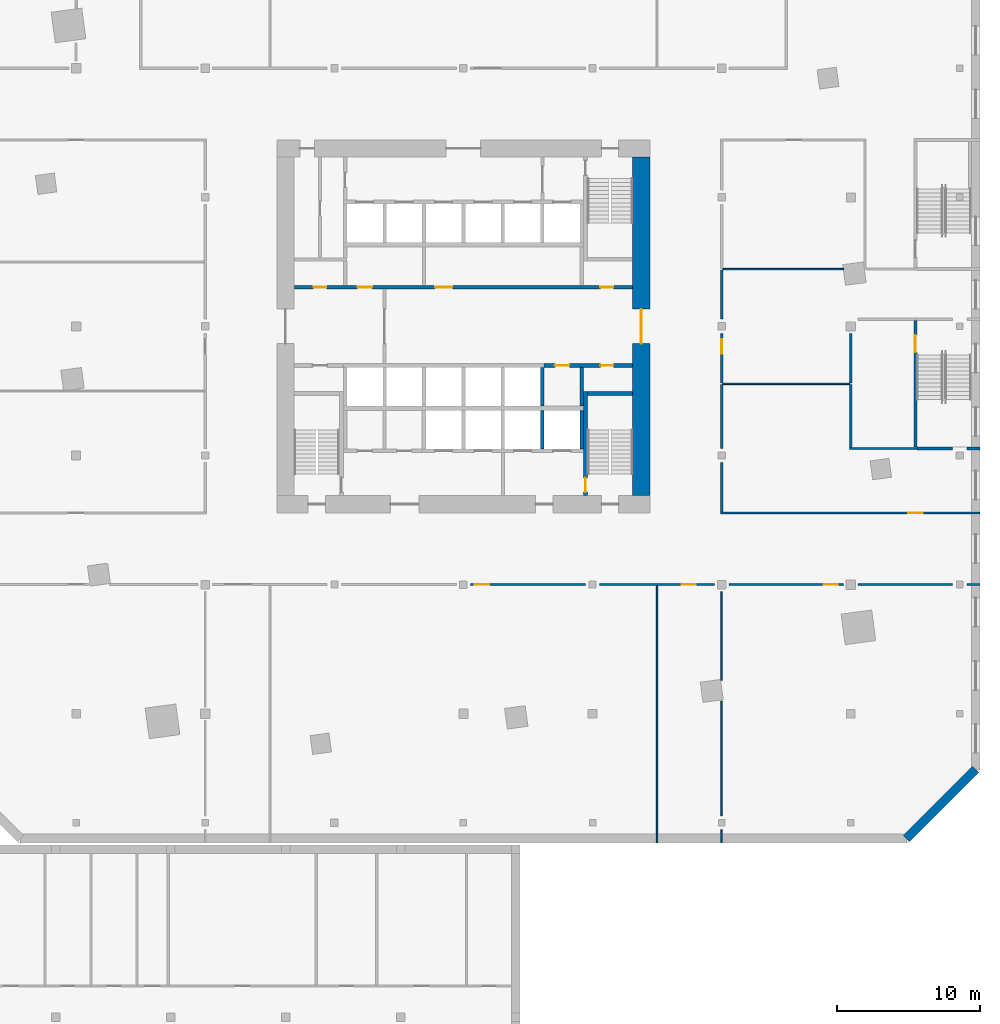
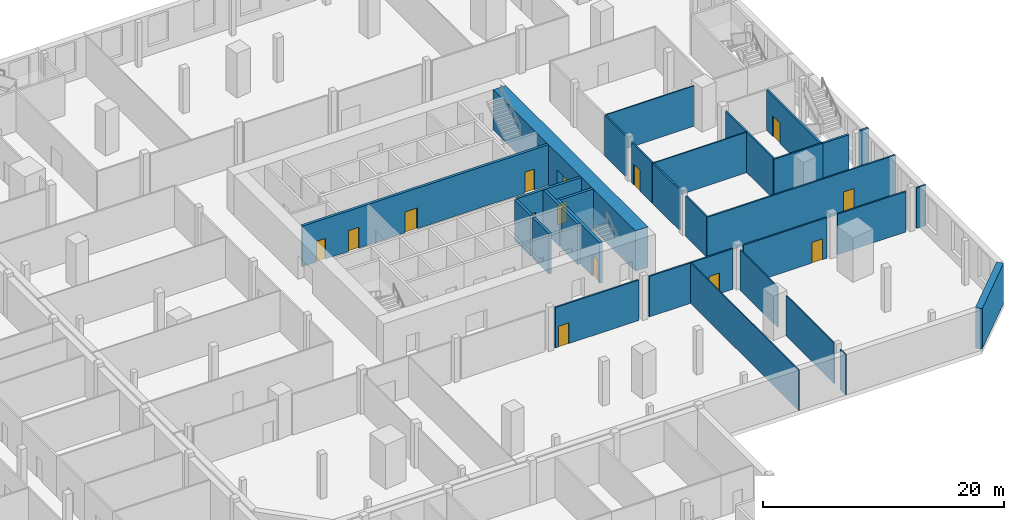
# One storey, part 8 of 18: 32 walls, 14 doors, 14 openings.
"""IFC4 building model written with IfcOpenShell, lengths in metres."""

from ifc_helpers import new_model, si_unit, direction, frame, frame_2d, origin, place, context, subcontext, project, spatial, rectangle, extrude, material, layer, layer_set, type_object, element, fill, save


model = new_model("IFC4")

# Units and contexts
model_context = context("Model", 3, precision=1e-05, world=origin(), true_north=direction((0.0, 1.0)))
body_context = subcontext(model_context, "Body", "Model", "MODEL_VIEW")
ifc_project = project(units=[si_unit("LENGTHUNIT", "METRE"), si_unit("AREAUNIT", "SQUARE_METRE"), si_unit("VOLUMEUNIT", "CUBIC_METRE"), si_unit("PLANEANGLEUNIT", "RADIAN"), si_unit("MASSUNIT", "GRAM", prefix="KILO")], contexts=[model_context])

# Site, building, storey
site_placement = place(None, origin())
site = spatial("IfcSite", under=ifc_project, at=site_placement, CompositionType="ELEMENT")
building_placement = place(site_placement, origin())
building = spatial("IfcBuilding", under=site, at=building_placement, Name="Dilmun Exchange Tower", CompositionType="ELEMENT")
storey_placement = place(building_placement, frame((0.0, 0.0, 13.5)))
storey = spatial("IfcBuildingStorey", under=building, at=storey_placement, Name="L03", CompositionType="ELEMENT", Elevation=13.5)

# Wall
ifc_material_1 = material(Name="Concrete C40/50", Category="concrete")
ifc_layer_1 = layer(ifc_material_1, 0.25)
ifc_layer_set_1 = layer_set([ifc_layer_1], Name="Concrete C40/50")
wall_type_1 = type_object("IfcWallType", Name="Core partition wall 250", PredefinedType="PARTITIONING", material=ifc_layer_set_1)
wall_1_placement = place(storey_placement, frame((8.25, -5.544921875, 0.0), z_axis=(0.0, 0.0, 1.0), x_axis=(0.0, 1.0, 0.0)))
element("IfcWall", 1, at=wall_1_placement, inside=storey, type_object=wall_type_1, Name="L03 core partition wall 05", PredefinedType="PARTITIONING", context=body_context, shape_type="SweptSolid", body=[
    extrude(rectangle(XDim=2.68994140625, YDim=0.25, at=frame_2d((1.344970703125, 0.0))), origin(), (0.0, 0.0, 1.0), 4.10009765625),
])

# Wall, openings, doors
wall_2_placement = place(storey_placement, frame((5.6298828125, -2.72509765625, 0.0), z_axis=(0.0, 0.0, 1.0), x_axis=(1.0, 0.0, 0.0)))
wall_2 = element("IfcWall", 2, at=wall_2_placement, inside=storey, type_object=wall_type_1, Name="L03 core partition wall 07", PredefinedType="PARTITIONING", context=body_context, shape_type="SweptSolid", body=[
    extrude(rectangle(XDim=6.1650390625, YDim=0.25, at=frame_2d((3.08251953125, 0.0))), origin(), (0.0, 0.0, 1.0), 4.10009765625),
])
opening_1_placement = place(wall_2_placement, frame((0.7451171875, 0.0, 0.0)))
opening_1 = element("IfcOpeningElement", 3, at=opening_1_placement, cuts=wall_2, Name="Opening CD4", PredefinedType="OPENING", context=body_context, shape_type="SweptSolid", body=[
    extrude(rectangle(XDim=1.0, YDim=2.10009765625, at=frame_2d((0.5, 1.050048828125))), frame((0.0, 0.135009765625, 0.0), z_axis=(0.0, -1.0, 0.0), x_axis=(1.0, 0.0, 0.0)), (0.0, 0.0, 1.0), 0.27001953125),
])
opening_2_placement = place(wall_2_placement, frame((3.919921875, 0.0, 0.0)))
opening_2 = element("IfcOpeningElement", 4, at=opening_2_placement, cuts=wall_2, Name="Opening CD6", PredefinedType="OPENING", context=body_context, shape_type="SweptSolid", body=[
    extrude(rectangle(XDim=0.89990234375, YDim=2.10009765625, at=frame_2d((0.449951171875, 1.050048828125))), frame((0.0, 0.135009765625, 0.0), z_axis=(0.0, -1.0, 0.0), x_axis=(1.0, 0.0, 0.0)), (0.0, 0.0, 1.0), 0.27001953125),
])
ifc_material_2 = material(Name="Fire-rated steel door set", Category="steel")
door_type_1 = type_object("IfcDoorType", Name="Core room door 1000x2100", OperationType="SINGLE_SWING_LEFT", PredefinedType="DOOR", material=ifc_material_2)
door_1_placement = place(opening_1_placement, origin())
door_1 = element("IfcDoor", 5, at=door_1_placement, inside=storey, type_object=door_type_1, Name="L03 door Cleaners' store", OperationType="SINGLE_SWING_RIGHT", OverallHeight=2.10009765625, OverallWidth=1.0, PredefinedType="DOOR", context=body_context, shape_type="SweptSolid", body=[
    extrude(rectangle(XDim=1.0, YDim=2.10009765625, at=frame_2d((0.5, 1.050048828125))), frame((0.0, 0.02490234375, 0.0), z_axis=(0.0, -1.0, 0.0), x_axis=(1.0, 0.0, 0.0)), (0.0, 0.0, 1.0), 0.050048828125),
])
fill(opening_1, door_1)
door_type_2 = type_object("IfcDoorType", Name="Core room door 900x2100", OperationType="SINGLE_SWING_LEFT", PredefinedType="DOOR", material=ifc_material_2)
door_2_placement = place(opening_2_placement, origin())
door_2 = element("IfcDoor", 6, at=door_2_placement, inside=storey, type_object=door_type_2, Name="L03 door Comms riser", OperationType="SINGLE_SWING_RIGHT", OverallHeight=2.10009765625, OverallWidth=0.89990234375, PredefinedType="DOOR", context=body_context, shape_type="SweptSolid", body=[
    extrude(rectangle(XDim=0.89990234375, YDim=2.10009765625, at=frame_2d((0.449951171875, 1.050048828125))), frame((0.0, 0.02490234375, 0.0), z_axis=(0.0, -1.0, 0.0), x_axis=(1.0, 0.0, 0.0)), (0.0, 0.0, 1.0), 0.050048828125),
])
fill(opening_2, door_2)

wall_3_placement = place(storey_placement, frame((-11.794921875, 2.72509765625, 0.0), z_axis=(0.0, 0.0, 1.0), x_axis=(1.0, 0.0, 0.0)))
wall_3 = element("IfcWall", 7, at=wall_3_placement, inside=storey, type_object=wall_type_1, Name="L03 core partition wall 09", PredefinedType="PARTITIONING", context=body_context, shape_type="SweptSolid", body=[
    extrude(rectangle(XDim=23.58984375, YDim=0.25, at=frame_2d((11.794921875, 0.0))), origin(), (0.0, 0.0, 1.0), 4.10009765625),
])
opening_3_placement = place(wall_3_placement, frame((21.344970703125, 0.0, 0.0)))
opening_3 = element("IfcOpeningElement", 8, at=opening_3_placement, cuts=wall_3, Name="Opening CD6", PredefinedType="OPENING", context=body_context, shape_type="SweptSolid", body=[
    extrude(rectangle(XDim=0.89990234375, YDim=2.10009765625, at=frame_2d((0.449951171875, 1.050048828125))), frame((0.0, 0.135009765625, 0.0), z_axis=(0.0, -1.0, 0.0), x_axis=(1.0, 0.0, 0.0)), (0.0, 0.0, 1.0), 0.27001953125),
])
opening_4_placement = place(wall_3_placement, frame((1.344970703125, 0.0, 0.0)))
opening_4 = element("IfcOpeningElement", 9, at=opening_4_placement, cuts=wall_3, Name="Opening CD6", PredefinedType="OPENING", context=body_context, shape_type="SweptSolid", body=[
    extrude(rectangle(XDim=0.89990234375, YDim=2.10009765625, at=frame_2d((0.449951171875, 1.050048828125))), frame((0.0, 0.135009765625, 0.0), z_axis=(0.0, -1.0, 0.0), x_axis=(1.0, 0.0, 0.0)), (0.0, 0.0, 1.0), 0.27001953125),
])
opening_5_placement = place(wall_3_placement, frame((4.419921875, 0.0, 0.0)))
opening_5 = element("IfcOpeningElement", 10, at=opening_5_placement, cuts=wall_3, Name="Opening CD4", PredefinedType="OPENING", context=body_context, shape_type="SweptSolid", body=[
    extrude(rectangle(XDim=1.0, YDim=2.10009765625, at=frame_2d((0.5, 1.050048828125))), frame((0.0, 0.135009765625, 0.0), z_axis=(0.0, -1.0, 0.0), x_axis=(1.0, 0.0, 0.0)), (0.0, 0.0, 1.0), 0.27001953125),
])
opening_6_placement = place(wall_3_placement, frame((9.820068359375, 0.0, 0.0)))
opening_6 = element("IfcOpeningElement", 11, at=opening_6_placement, cuts=wall_3, Name="Opening CD3", PredefinedType="OPENING", context=body_context, shape_type="SweptSolid", body=[
    extrude(rectangle(XDim=1.199951171875, YDim=2.10009765625, at=frame_2d((0.60009765625, 1.050048828125))), frame((0.0, 0.135009765625, 0.0), z_axis=(0.0, -1.0, 0.0), x_axis=(1.0, 0.0, 0.0)), (0.0, 0.0, 1.0), 0.27001953125),
])
door_3_placement = place(opening_5_placement, origin())
door_3 = element("IfcDoor", 12, at=door_3_placement, inside=storey, type_object=door_type_1, Name="L03 door Mechanical room", OperationType="SINGLE_SWING_RIGHT", OverallHeight=2.10009765625, OverallWidth=1.0, PredefinedType="DOOR", context=body_context, shape_type="SweptSolid", body=[
    extrude(rectangle(XDim=1.0, YDim=2.10009765625, at=frame_2d((0.5, 1.050048828125))), frame((0.0, 0.02490234375, 0.0), z_axis=(0.0, -1.0, 0.0), x_axis=(1.0, 0.0, 0.0)), (0.0, 0.0, 1.0), 0.050048828125),
])
fill(opening_5, door_3)
door_4_placement = place(opening_3_placement, origin())
door_4 = element("IfcDoor", 13, at=door_4_placement, inside=storey, type_object=door_type_2, Name="L03 door Electrical riser", OperationType="SINGLE_SWING_RIGHT", OverallHeight=2.10009765625, OverallWidth=0.89990234375, PredefinedType="DOOR", context=body_context, shape_type="SweptSolid", body=[
    extrude(rectangle(XDim=0.89990234375, YDim=2.10009765625, at=frame_2d((0.449951171875, 1.050048828125))), frame((0.0, 0.02490234375, 0.0), z_axis=(0.0, -1.0, 0.0), x_axis=(1.0, 0.0, 0.0)), (0.0, 0.0, 1.0), 0.050048828125),
])
fill(opening_3, door_4)
door_5_placement = place(opening_4_placement, origin())
door_5 = element("IfcDoor", 14, at=door_5_placement, inside=storey, type_object=door_type_2, Name="L03 door Plumbing riser", OperationType="SINGLE_SWING_RIGHT", OverallHeight=2.10009765625, OverallWidth=0.89990234375, PredefinedType="DOOR", context=body_context, shape_type="SweptSolid", body=[
    extrude(rectangle(XDim=0.89990234375, YDim=2.10009765625, at=frame_2d((0.449951171875, 1.050048828125))), frame((0.0, 0.02490234375, 0.0), z_axis=(0.0, -1.0, 0.0), x_axis=(1.0, 0.0, 0.0)), (0.0, 0.0, 1.0), 0.050048828125),
])
fill(opening_4, door_5)
door_type_3 = type_object("IfcDoorType", Name="Stair exit door 1200x2100", OperationType="SINGLE_SWING_LEFT", PredefinedType="DOOR", material=ifc_material_2)
door_6_placement = place(opening_6_placement, origin())
door_6 = element("IfcDoor", 15, at=door_6_placement, inside=storey, type_object=door_type_3, Name="L03 door Tenant meeting suite", OperationType="SINGLE_SWING_LEFT", OverallHeight=2.10009765625, OverallWidth=1.199951171875, PredefinedType="DOOR", context=body_context, shape_type="SweptSolid", body=[
    extrude(rectangle(XDim=1.199951171875, YDim=2.10009765625, at=frame_2d((0.60009765625, 1.050048828125))), frame((0.0, 0.02490234375, 0.0), z_axis=(0.0, -1.0, 0.0), x_axis=(1.0, 0.0, 0.0)), (0.0, 0.0, 1.0), 0.050048828125),
])
fill(opening_6, door_6)

# Wall, opening, door
ifc_material_3 = material(Name="Concrete C80/95", Category="concrete")
ifc_layer_2 = layer(ifc_material_3, 1.199951171875)
ifc_layer_set_2 = layer_set([ifc_layer_2], Name="Concrete C80/95")
wall_type_2 = type_object("IfcWallType", Name="Core shear wall 1200 Concrete C80/95", PredefinedType="SHEAR", material=ifc_layer_set_2)
wall_4_placement = place(storey_placement, frame((12.39990234375, -11.800048828125, 0.0), z_axis=(0.0, 0.0, 1.0), x_axis=(0.0, 1.0, 0.0)))
wall_4 = element("IfcWall", 16, at=wall_4_placement, inside=storey, type_object=wall_type_2, Name="L03 core shear wall E", PredefinedType="SHEAR", context=body_context, shape_type="SweptSolid", body=[
    extrude(rectangle(XDim=23.60009765625, YDim=1.199951171875, at=frame_2d((11.800048828125, 0.0))), origin(), (0.0, 0.0, 1.0), 4.10009765625),
])
opening_7_placement = place(wall_4_placement, frame((10.60009765625, 0.0, 0.0)))
opening_7 = element("IfcOpeningElement", 17, at=opening_7_placement, cuts=wall_4, Name="Opening CD1", PredefinedType="OPENING", context=body_context, shape_type="SweptSolid", body=[
    extrude(rectangle(XDim=2.39990234375, YDim=2.39990234375, at=frame_2d((1.199951171875, 1.199951171875))), frame((0.0, 0.60986328125, 0.0), z_axis=(0.0, -1.0, 0.0), x_axis=(1.0, 0.0, 0.0)), (0.0, 0.0, 1.0), 1.219970703125),
])
door_type_4 = type_object("IfcDoorType", Name="Core lobby door 2400x2400", OperationType="DOUBLE_DOOR_DOUBLE_SWING", PredefinedType="DOOR", material=ifc_material_2)
door_7_placement = place(opening_7_placement, origin())
door_7 = element("IfcDoor", 18, at=door_7_placement, inside=storey, type_object=door_type_4, Name="L03 door Central lift lobby", OperationType="SINGLE_SWING_LEFT", OverallHeight=2.39990234375, OverallWidth=2.39990234375, PredefinedType="DOOR", context=body_context, shape_type="SweptSolid", body=[
    extrude(rectangle(XDim=2.39990234375, YDim=2.39990234375, at=frame_2d((1.199951171875, 1.199951171875))), frame((0.0, 0.02490234375, 0.0), z_axis=(0.0, -1.0, 0.0), x_axis=(1.0, 0.0, 0.0)), (0.0, 0.0, 1.0), 0.050048828125),
])
fill(opening_7, door_7)

ifc_material_4 = material(Name="Fire partition EI 60 150 gypsum")
ifc_layer_3 = layer(ifc_material_4, 0.14990234375)
ifc_layer_set_3 = layer_set([ifc_layer_3], Name="Fire partition EI 60 150 gypsum")
wall_type_3 = type_object("IfcWallType", Name="Fire partition EI 60 150 gypsum", PredefinedType="PARTITIONING", material=ifc_layer_set_3)
wall_5_placement = place(storey_placement, frame((0.5, -18.0, 0.0), z_axis=(0.0, 0.0, 1.0), x_axis=(1.0, 0.0, 0.0)))
wall_5 = element("IfcWall", 19, at=wall_5_placement, inside=storey, type_object=wall_type_3, Name="L03 partition", PredefinedType="PARTITIONING", context=body_context, shape_type="SweptSolid", body=[
    extrude(rectangle(XDim=8.0, YDim=0.14990234375, at=frame_2d((4.0, 0.0))), origin(), (0.0, 0.0, 1.0), 4.10009765625),
])
opening_8_placement = place(wall_5_placement, frame((0.300048828125, 0.0, 0.0)))
opening_8 = element("IfcOpeningElement", 20, at=opening_8_placement, cuts=wall_5, Name="Opening L03-D014", PredefinedType="OPENING", context=body_context, shape_type="SweptSolid", body=[
    extrude(rectangle(XDim=1.0, YDim=2.10009765625, at=frame_2d((0.5, 1.050048828125))), frame((0.0, 0.0849609375, 0.0), z_axis=(0.0, -1.0, 0.0), x_axis=(1.0, 0.0, 0.0)), (0.0, 0.0, 1.0), 0.169921875),
])
ifc_material_5 = material(Name="Fire door FD60 1000 x 2100")
door_type_5 = type_object("IfcDoorType", Name="Fire door FD60 1000 x 2100", OperationType="SINGLE_SWING_LEFT", PredefinedType="DOOR", material=ifc_material_5)
door_8_placement = place(opening_8_placement, origin())
door_8 = element("IfcDoor", 21, at=door_8_placement, inside=storey, type_object=door_type_5, Name="L03 door L03-D014", OperationType="SINGLE_SWING_RIGHT", OverallHeight=2.10009765625, OverallWidth=1.0, PredefinedType="DOOR", context=body_context, shape_type="SweptSolid", body=[
    extrude(rectangle(XDim=1.0, YDim=2.10009765625, at=frame_2d((0.5, 1.050048828125))), frame((0.0, 0.02490234375, 0.0), z_axis=(0.0, -1.0, 0.0), x_axis=(1.0, 0.0, 0.0)), (0.0, 0.0, 1.0), 0.050048828125),
])
fill(opening_8, door_8)

wall_6_placement = place(storey_placement, frame((9.5, -18.0, 0.0), z_axis=(0.0, 0.0, 1.0), x_axis=(1.0, 0.0, 0.0)))
wall_6 = element("IfcWall", 22, at=wall_6_placement, inside=storey, type_object=wall_type_3, Name="L03 partition", PredefinedType="PARTITIONING", context=body_context, shape_type="SweptSolid", body=[
    extrude(rectangle(XDim=8.0, YDim=0.14990234375, at=frame_2d((4.0, 0.0))), origin(), (0.0, 0.0, 1.0), 4.10009765625),
])
opening_9_placement = place(wall_6_placement, frame((5.699951171875, 0.0, 0.0)))
opening_9 = element("IfcOpeningElement", 23, at=opening_9_placement, cuts=wall_6, Name="Opening L03-D015", PredefinedType="OPENING", context=body_context, shape_type="SweptSolid", body=[
    extrude(rectangle(XDim=1.0, YDim=2.10009765625, at=frame_2d((0.5, 1.050048828125))), frame((0.0, 0.0849609375, 0.0), z_axis=(0.0, -1.0, 0.0), x_axis=(1.0, 0.0, 0.0)), (0.0, 0.0, 1.0), 0.169921875),
])
door_9_placement = place(opening_9_placement, origin())
door_9 = element("IfcDoor", 24, at=door_9_placement, inside=storey, type_object=door_type_5, Name="L03 door L03-D015", OperationType="SINGLE_SWING_LEFT", OverallHeight=2.10009765625, OverallWidth=1.0, PredefinedType="DOOR", context=body_context, shape_type="SweptSolid", body=[
    extrude(rectangle(XDim=1.0, YDim=2.10009765625, at=frame_2d((0.5, 1.050048828125))), frame((0.0, 0.02490234375, 0.0), z_axis=(0.0, -1.0, 0.0), x_axis=(1.0, 0.0, 0.0)), (0.0, 0.0, 1.0), 0.050048828125),
])
fill(opening_9, door_9)

wall_7_placement = place(storey_placement, frame((18.5, -18.0, 0.0), z_axis=(0.0, 0.0, 1.0), x_axis=(1.0, 0.0, 0.0)))
wall_7 = element("IfcWall", 25, at=wall_7_placement, inside=storey, type_object=wall_type_3, Name="L03 partition", PredefinedType="PARTITIONING", context=body_context, shape_type="SweptSolid", body=[
    extrude(rectangle(XDim=8.0, YDim=0.14990234375, at=frame_2d((4.0, 0.0))), origin(), (0.0, 0.0, 1.0), 4.10009765625),
])
opening_10_placement = place(wall_7_placement, frame((6.60009765625, 0.0, 0.0)))
opening_10 = element("IfcOpeningElement", 26, at=opening_10_placement, cuts=wall_7, Name="Opening L03-D016", PredefinedType="OPENING", context=body_context, shape_type="SweptSolid", body=[
    extrude(rectangle(XDim=1.0, YDim=2.10009765625, at=frame_2d((0.5, 1.050048828125))), frame((0.0, 0.0849609375, 0.0), z_axis=(0.0, -1.0, 0.0), x_axis=(1.0, 0.0, 0.0)), (0.0, 0.0, 1.0), 0.169921875),
])
door_10_placement = place(opening_10_placement, origin())
door_10 = element("IfcDoor", 27, at=door_10_placement, inside=storey, type_object=door_type_5, Name="L03 door L03-D016", OperationType="SINGLE_SWING_RIGHT", OverallHeight=2.10009765625, OverallWidth=1.0, PredefinedType="DOOR", context=body_context, shape_type="SweptSolid", body=[
    extrude(rectangle(XDim=1.0, YDim=2.10009765625, at=frame_2d((0.5, 1.050048828125))), frame((0.0, 0.02490234375, 0.0), z_axis=(0.0, -1.0, 0.0), x_axis=(1.0, 0.0, 0.0)), (0.0, 0.0, 1.0), 0.050048828125),
])
fill(opening_10, door_10)

# Walls
wall_8_placement = place(storey_placement, frame((27.5, -18.0, 0.0), z_axis=(0.0, 0.0, 1.0), x_axis=(1.0, 0.0, 0.0)))
element("IfcWall", 28, at=wall_8_placement, inside=storey, type_object=wall_type_3, Name="L03 partition", PredefinedType="PARTITIONING", context=body_context, shape_type="SweptSolid", body=[
    extrude(rectangle(XDim=6.60009765625, YDim=0.14990234375, at=frame_2d((3.300048828125, 0.0))), origin(), (0.0, 0.0, 1.0), 4.10009765625),
])
wall_9_placement = place(storey_placement, frame((35.10009765625, -18.0, 0.0), z_axis=(0.0, 0.0, 1.0), x_axis=(1.0, 0.0, 0.0)))
element("IfcWall", 29, at=wall_9_placement, inside=storey, type_object=wall_type_3, Name="L03 partition", PredefinedType="PARTITIONING", context=body_context, shape_type="SweptSolid", body=[
    extrude(rectangle(XDim=0.89990234375, YDim=0.14990234375, at=frame_2d((0.449951171875, 0.0))), origin(), (0.0, 0.0, 1.0), 4.10009765625),
])

# Wall, opening, door
wall_10_placement = place(storey_placement, frame((17.925048828125, -13.0, 0.0), z_axis=(0.0, 0.0, 1.0), x_axis=(1.0, 0.0, 0.0)))
wall_10 = element("IfcWall", 30, at=wall_10_placement, inside=storey, type_object=wall_type_3, Name="L03 partition", PredefinedType="PARTITIONING", context=body_context, shape_type="SweptSolid", body=[
    extrude(rectangle(XDim=18.074951171875, YDim=0.14990234375, at=frame_2d((9.03759765625, 0.0))), origin(), (0.0, 0.0, 1.0), 4.10009765625),
])
opening_11_placement = place(wall_10_placement, frame((13.074951171875, 0.0, 0.0)))
opening_11 = element("IfcOpeningElement", 31, at=opening_11_placement, cuts=wall_10, Name="Opening L03-D020", PredefinedType="OPENING", context=body_context, shape_type="SweptSolid", body=[
    extrude(rectangle(XDim=1.0, YDim=2.10009765625, at=frame_2d((0.5, 1.050048828125))), frame((0.0, 0.0849609375, 0.0), z_axis=(0.0, -1.0, 0.0), x_axis=(1.0, 0.0, 0.0)), (0.0, 0.0, 1.0), 0.169921875),
])
door_11_placement = place(opening_11_placement, origin())
door_11 = element("IfcDoor", 32, at=door_11_placement, inside=storey, type_object=door_type_5, Name="L03 door L03-D020", OperationType="SINGLE_SWING_RIGHT", OverallHeight=2.10009765625, OverallWidth=1.0, PredefinedType="DOOR", context=body_context, shape_type="SweptSolid", body=[
    extrude(rectangle(XDim=1.0, YDim=2.10009765625, at=frame_2d((0.5, 1.050048828125))), frame((0.0, 0.02490234375, 0.0), z_axis=(0.0, -1.0, 0.0), x_axis=(1.0, 0.0, 0.0)), (0.0, 0.0, 1.0), 0.050048828125),
])
fill(opening_11, door_11)

# Walls
wall_11_placement = place(storey_placement, frame((26.925048828125, -8.5, 0.0), z_axis=(0.0, 0.0, 1.0), x_axis=(1.0, 0.0, 0.0)))
element("IfcWall", 33, at=wall_11_placement, inside=storey, type_object=wall_type_3, Name="L03 partition", PredefinedType="PARTITIONING", context=body_context, shape_type="SweptSolid", body=[
    extrude(rectangle(XDim=4.675048828125, YDim=0.14990234375, at=frame_2d((2.33740234375, 0.0))), origin(), (0.0, 0.0, 1.0), 4.10009765625),
])
wall_12_placement = place(storey_placement, frame((18.0, -12.925048828125, 0.0), z_axis=(0.0, 0.0, 1.0), x_axis=(0.0, 1.0, 0.0)))
element("IfcWall", 34, at=wall_12_placement, inside=storey, type_object=wall_type_3, Name="L03 partition", PredefinedType="PARTITIONING", context=body_context, shape_type="SweptSolid", body=[
    extrude(rectangle(XDim=3.425048828125, YDim=0.14990234375, at=frame_2d((1.71240234375, 0.0))), origin(), (0.0, 0.0, 1.0), 4.10009765625),
])
wall_13_placement = place(storey_placement, frame((18.0, -8.5, 0.0), z_axis=(0.0, 0.0, 1.0), x_axis=(0.0, 1.0, 0.0)))
element("IfcWall", 35, at=wall_13_placement, inside=storey, type_object=wall_type_3, Name="L03 partition", PredefinedType="PARTITIONING", context=body_context, shape_type="SweptSolid", body=[
    extrude(rectangle(XDim=4.449951171875, YDim=0.14990234375, at=frame_2d((2.22509765625, 0.0))), origin(), (0.0, 0.0, 1.0), 4.10009765625),
])

# Wall, opening, door
wall_14_placement = place(storey_placement, frame((18.0, -3.949951171875, 0.0), z_axis=(0.0, 0.0, 1.0), x_axis=(0.0, 1.0, 0.0)))
wall_14 = element("IfcWall", 36, at=wall_14_placement, inside=storey, type_object=wall_type_3, Name="L03 partition", PredefinedType="PARTITIONING", context=body_context, shape_type="SweptSolid", body=[
    extrude(rectangle(XDim=3.449951171875, YDim=0.14990234375, at=frame_2d((1.72509765625, 0.0))), origin(), (0.0, 0.0, 1.0), 4.10009765625),
])
opening_12_placement = place(wall_14_placement, frame((2.050048828125, 0.0, 0.0)))
opening_12 = element("IfcOpeningElement", 37, at=opening_12_placement, cuts=wall_14, Name="Opening L03-D021", PredefinedType="OPENING", context=body_context, shape_type="SweptSolid", body=[
    extrude(rectangle(XDim=1.0, YDim=2.10009765625, at=frame_2d((0.5, 1.050048828125))), frame((0.0, 0.0849609375, 0.0), z_axis=(0.0, -1.0, 0.0), x_axis=(1.0, 0.0, 0.0)), (0.0, 0.0, 1.0), 0.169921875),
])
door_12_placement = place(opening_12_placement, origin())
door_12 = element("IfcDoor", 38, at=door_12_placement, inside=storey, type_object=door_type_5, Name="L03 door L03-D021", OperationType="SINGLE_SWING_LEFT", OverallHeight=2.10009765625, OverallWidth=1.0, PredefinedType="DOOR", context=body_context, shape_type="SweptSolid", body=[
    extrude(rectangle(XDim=1.0, YDim=2.10009765625, at=frame_2d((0.5, 1.050048828125))), frame((0.0, 0.02490234375, 0.0), z_axis=(0.0, -1.0, 0.0), x_axis=(1.0, 0.0, 0.0)), (0.0, 0.0, 1.0), 0.050048828125),
])
fill(opening_12, door_12)

# Walls
wall_15_placement = place(storey_placement, frame((18.0, 0.5, 0.0), z_axis=(0.0, 0.0, 1.0), x_axis=(0.0, 1.0, 0.0)))
element("IfcWall", 39, at=wall_15_placement, inside=storey, type_object=wall_type_3, Name="L03 partition", PredefinedType="PARTITIONING", context=body_context, shape_type="SweptSolid", body=[
    extrude(rectangle(XDim=3.449951171875, YDim=0.14990234375, at=frame_2d((1.72509765625, 0.0))), origin(), (0.0, 0.0, 1.0), 4.10009765625),
])
wall_16_placement = place(storey_placement, frame((27.0, -8.425048828125, 0.0), z_axis=(0.0, 0.0, 1.0), x_axis=(0.0, 1.0, 0.0)))
element("IfcWall", 40, at=wall_16_placement, inside=storey, type_object=wall_type_3, Name="L03 partition", PredefinedType="PARTITIONING", context=body_context, shape_type="SweptSolid", body=[
    extrude(rectangle(XDim=4.375, YDim=0.14990234375, at=frame_2d((2.1875, 0.0))), origin(), (0.0, 0.0, 1.0), 4.10009765625),
])
wall_17_placement = place(storey_placement, frame((27.0, -3.949951171875, 0.0), z_axis=(0.0, 0.0, 1.0), x_axis=(0.0, 1.0, 0.0)))
element("IfcWall", 41, at=wall_17_placement, inside=storey, type_object=wall_type_3, Name="L03 partition", PredefinedType="PARTITIONING", context=body_context, shape_type="SweptSolid", body=[
    extrude(rectangle(XDim=3.449951171875, YDim=0.14990234375, at=frame_2d((1.72509765625, 0.0))), origin(), (0.0, 0.0, 1.0), 4.10009765625),
])
ifc_material_6 = material(Name="Fire wall EI 120 200 blockwork", Category="masonry")
ifc_layer_4 = layer(ifc_material_6, 0.199951171875)
ifc_layer_set_4 = layer_set([ifc_layer_4], Name="Fire wall EI 120 200 blockwork")
wall_type_4 = type_object("IfcWallType", Name="Fire wall EI 120 200 blockwork", PredefinedType="PARTITIONING", material=ifc_layer_set_4)
wall_18_placement = place(storey_placement, frame((31.60009765625, -8.5, 0.0), z_axis=(0.0, 0.0, 1.0), x_axis=(1.0, 0.0, 0.0)))
element("IfcWall", 42, at=wall_18_placement, inside=storey, type_object=wall_type_4, Name="L03 stair wall", PredefinedType="PARTITIONING", context=body_context, shape_type="SweptSolid", body=[
    extrude(rectangle(XDim=2.5, YDim=0.199951171875, at=frame_2d((1.25, 0.0))), origin(), (0.0, 0.0, 1.0), 4.10009765625),
])
wall_19_placement = place(storey_placement, frame((35.10009765625, -8.5, 0.0), z_axis=(0.0, 0.0, 1.0), x_axis=(1.0, 0.0, 0.0)))
element("IfcWall", 43, at=wall_19_placement, inside=storey, type_object=wall_type_4, Name="L03 stair wall", PredefinedType="PARTITIONING", context=body_context, shape_type="SweptSolid", body=[
    extrude(rectangle(XDim=0.89990234375, YDim=0.199951171875, at=frame_2d((0.449951171875, 0.0))), origin(), (0.0, 0.0, 1.0), 4.10009765625),
])

# Wall, opening, door
wall_20_placement = place(storey_placement, frame((31.5, -8.39990234375, 0.0), z_axis=(0.0, 0.0, 1.0), x_axis=(0.0, 1.0, 0.0)))
wall_20 = element("IfcWall", 44, at=wall_20_placement, inside=storey, type_object=wall_type_4, Name="L03 stair wall", PredefinedType="PARTITIONING", context=body_context, shape_type="SweptSolid", body=[
    extrude(rectangle(XDim=8.824951171875, YDim=0.199951171875, at=frame_2d((4.41259765625, 0.0))), origin(), (0.0, 0.0, 1.0), 4.10009765625),
])
opening_13_placement = place(wall_20_placement, frame((6.60009765625, 0.0, 0.0)))
opening_13 = element("IfcOpeningElement", 45, at=opening_13_placement, cuts=wall_20, Name="Opening L03-D003", PredefinedType="OPENING", context=body_context, shape_type="SweptSolid", body=[
    extrude(rectangle(XDim=1.199951171875, YDim=2.10009765625, at=frame_2d((0.60009765625, 1.050048828125))), frame((0.0, 0.10986328125, 0.0), z_axis=(0.0, -1.0, 0.0), x_axis=(1.0, 0.0, 0.0)), (0.0, 0.0, 1.0), 0.219970703125),
])
ifc_material_7 = material(Name="Stair door FD90 1200 x 2100")
door_type_6 = type_object("IfcDoorType", Name="Stair door FD90 1200 x 2100", OperationType="SINGLE_SWING_LEFT", PredefinedType="DOOR", material=ifc_material_7)
door_13_placement = place(opening_13_placement, frame((1.199951171875, 0.0, 0.0), z_axis=(0.0, 0.0, 1.0), x_axis=(-1.0, 0.0, 0.0)))
door_13 = element("IfcDoor", 46, at=door_13_placement, inside=storey, type_object=door_type_6, Name="L03 door L03-D003", OperationType="SINGLE_SWING_LEFT", OverallHeight=2.10009765625, OverallWidth=1.199951171875, PredefinedType="DOOR", context=body_context, shape_type="SweptSolid", body=[
    extrude(rectangle(XDim=1.199951171875, YDim=2.10009765625, at=frame_2d((0.60009765625, 1.050048828125))), frame((0.0, 0.02490234375, 0.0), z_axis=(0.0, -1.0, 0.0), x_axis=(1.0, 0.0, 0.0)), (0.0, 0.0, 1.0), 0.050048828125),
])
fill(opening_13, door_13)

# Walls
ifc_layer_5 = layer(ifc_material_1, 0.25)
ifc_layer_set_5 = layer_set([ifc_layer_5], Name="Concrete C40/50")
wall_type_5 = type_object("IfcWallType", Name="Lift shaft wall 250", PredefinedType="SOLIDWALL", material=ifc_layer_set_5)
for number, where, z_axis, x_axis, name in (
    (47, (5.5, -5.550048828125, 0.0), (0.0, 0.0, 1.0), (0.0, 1.0, 0.0), "L03 lift shaft divider S15"),
    (48, (5.5, -8.550048828125, 0.0), (0.0, 0.0, 1.0), (0.0, 1.0, 0.0), "L03 lift shaft divider S25"),
    (49, (8.25, -8.550048828125, 0.0), (0.0, 0.0, 1.0), (0.0, 1.0, 0.0), "L03 lift shaft divider S26"),
):
    element("IfcWall", number, at=place(storey_placement, frame(where, z_axis=z_axis, x_axis=x_axis)), inside=storey, type_object=wall_type_5, Name=name, PredefinedType="SOLIDWALL", context=body_context, shape_type="SweptSolid", body=[
        extrude(rectangle(XDim=2.699951171875, YDim=0.25, at=frame_2d((1.35009765625, 0.0))), origin(), (0.0, 0.0, 1.0), 4.10009765625),
    ])
ifc_material_8 = material(Name="Partition 100 gypsum")
ifc_layer_6 = layer(ifc_material_8, 0.10009765625)
ifc_layer_set_6 = layer_set([ifc_layer_6], Name="Partition 100 gypsum")
wall_type_6 = type_object("IfcWallType", Name="Partition 100 gypsum", PredefinedType="PARTITIONING", material=ifc_layer_set_6)
wall_21_placement = place(storey_placement, frame((18.074951171875, -4.0, 0.0), z_axis=(0.0, 0.0, 1.0), x_axis=(1.0, 0.0, 0.0)))
element("IfcWall", 50, at=wall_21_placement, inside=storey, type_object=wall_type_6, Name="L03 partition", PredefinedType="PARTITIONING", context=body_context, shape_type="SweptSolid", body=[
    extrude(rectangle(XDim=8.85009765625, YDim=0.10009765625, at=frame_2d((4.425048828125, 0.0))), origin(), (0.0, 0.0, 1.0), 4.10009765625),
])
wall_22_placement = place(storey_placement, frame((18.074951171875, 4.0, 0.0), z_axis=(0.0, 0.0, 1.0), x_axis=(1.0, 0.0, 0.0)))
element("IfcWall", 51, at=wall_22_placement, inside=storey, type_object=wall_type_6, Name="L03 partition", PredefinedType="PARTITIONING", context=body_context, shape_type="SweptSolid", body=[
    extrude(rectangle(XDim=8.44677734375, YDim=0.10009765625, at=frame_2d((4.223388671875, 0.0))), origin(), (0.0, 0.0, 1.0), 4.10009765625),
])
wall_23_placement = place(storey_placement, frame((13.5, -36.0, 0.0), z_axis=(0.0, 0.0, 1.0), x_axis=(0.0, 1.0, 0.0)))
element("IfcWall", 52, at=wall_23_placement, inside=storey, type_object=wall_type_6, Name="L03 partition", PredefinedType="PARTITIONING", context=body_context, shape_type="SweptSolid", body=[
    extrude(rectangle(XDim=17.925048828125, YDim=0.10009765625, at=frame_2d((8.96240234375, 0.0))), origin(), (0.0, 0.0, 1.0), 4.10009765625),
])
wall_24_placement = place(storey_placement, frame((18.0, -36.0, 0.0), z_axis=(0.0, 0.0, 1.0), x_axis=(0.0, 1.0, 0.0)))
element("IfcWall", 53, at=wall_24_placement, inside=storey, type_object=wall_type_6, Name="L03 partition", PredefinedType="PARTITIONING", context=body_context, shape_type="SweptSolid", body=[
    extrude(rectangle(XDim=0.89990234375, YDim=0.10009765625, at=frame_2d((0.449951171875, 0.0))), origin(), (0.0, 0.0, 1.0), 4.10009765625),
])
wall_25_placement = place(storey_placement, frame((18.0, -34.10009765625, 0.0), z_axis=(0.0, 0.0, 1.0), x_axis=(0.0, 1.0, 0.0)))
element("IfcWall", 54, at=wall_25_placement, inside=storey, type_object=wall_type_6, Name="L03 partition", PredefinedType="PARTITIONING", context=body_context, shape_type="SweptSolid", body=[
    extrude(rectangle(XDim=7.956787109375, YDim=0.10009765625, at=frame_2d((3.978515625, 0.0))), origin(), (0.0, 0.0, 1.0), 4.10009765625),
])
wall_26_placement = place(storey_placement, frame((18.0, -24.680908203125, 0.0), z_axis=(0.0, 0.0, 1.0), x_axis=(0.0, 1.0, 0.0)))
element("IfcWall", 55, at=wall_26_placement, inside=storey, type_object=wall_type_6, Name="L03 partition", PredefinedType="PARTITIONING", context=body_context, shape_type="SweptSolid", body=[
    extrude(rectangle(XDim=6.180908203125, YDim=0.10009765625, at=frame_2d((3.09033203125, 0.0))), origin(), (0.0, 0.0, 1.0), 4.10009765625),
])
ifc_material_9 = material(Name="Precast concrete C50/60", Category="concrete")
ifc_layer_7 = layer(ifc_material_9, 0.60009765625)
ifc_layer_set_7 = layer_set([ifc_layer_7], Name="Precast concrete C50/60")
wall_type_7 = type_object("IfcWallType", Name="Precast stone-clad wall 600", PredefinedType="STANDARD", material=ifc_layer_set_7)
wall_27_placement = place(storey_placement, frame((30.875732421875, -35.699951171875, 0.0), z_axis=(0.0, 0.0, 1.0), x_axis=(0.707106781187, 0.707106781187, 0.0)))
element("IfcWall", 56, at=wall_27_placement, inside=storey, type_object=wall_type_7, Name="Facade wall L03-01-0", PredefinedType="STANDARD", context=body_context, shape_type="SweptSolid", body=[
    extrude(rectangle(XDim=6.822509765625, YDim=0.60009765625, at=frame_2d((3.4111328125, 0.0))), origin(), (0.0, 0.0, 1.0), 4.10009765625),
])
ifc_layer_8 = layer(ifc_material_1, 0.25)
ifc_layer_set_8 = layer_set([ifc_layer_8], Name="Concrete C40/50")
wall_type_8 = type_object("IfcWallType", Name="Stair end wall 250", PredefinedType="SOLIDWALL", material=ifc_layer_set_8)
wall_28_placement = place(storey_placement, frame((8.64990234375, -4.675048828125, 0.0), z_axis=(0.0, 0.0, 1.0), x_axis=(1.0, 0.0, 0.0)))
element("IfcWall", 57, at=wall_28_placement, inside=storey, type_object=wall_type_8, Name="L03 ST3 far wall", PredefinedType="SOLIDWALL", context=body_context, shape_type="SweptSolid", body=[
    extrude(rectangle(XDim=3.150146484375, YDim=0.25, at=frame_2d((1.5751953125, 0.0))), origin(), (0.0, 0.0, 1.0), 4.10009765625),
])

# Wall, opening, door
ifc_layer_9 = layer(ifc_material_1, 0.27490234375)
ifc_layer_set_9 = layer_set([ifc_layer_9], Name="Concrete C40/50")
wall_type_9 = type_object("IfcWallType", Name="Stair wall 275", PredefinedType="SOLIDWALL", material=ifc_layer_set_9)
wall_29_placement = place(storey_placement, frame((8.512451171875, -4.550048828125, 0.0), z_axis=(0.0, 0.0, 1.0), x_axis=(0.0, -1.0, 0.0)))
wall_29 = element("IfcWall", 58, at=wall_29_placement, inside=storey, type_object=wall_type_9, Name="L03 ST3 wall to lift block", PredefinedType="SOLIDWALL", context=body_context, shape_type="SweptSolid", body=[
    extrude(rectangle(XDim=7.25, YDim=0.27490234375, at=frame_2d((3.625, 0.0))), origin(), (0.0, 0.0, 1.0), 4.10009765625),
])
opening_14_placement = place(wall_29_placement, frame((6.0, 0.0, 0.0)))
opening_14 = element("IfcOpeningElement", 59, at=opening_14_placement, cuts=wall_29, Name="Opening CD4", PredefinedType="OPENING", context=body_context, shape_type="SweptSolid", body=[
    extrude(rectangle(XDim=1.0, YDim=2.10009765625, at=frame_2d((0.5, 1.050048828125))), frame((0.0, 0.1474609375, 0.0), z_axis=(0.0, -1.0, 0.0), x_axis=(1.0, 0.0, 0.0)), (0.0, 0.0, 1.0), 0.294921875),
])
door_14_placement = place(opening_14_placement, origin())
door_14 = element("IfcDoor", 60, at=door_14_placement, inside=storey, type_object=door_type_1, Name="L03 door ST3 from lobby", OperationType="SINGLE_SWING_LEFT", OverallHeight=2.10009765625, OverallWidth=1.0, PredefinedType="DOOR", context=body_context, shape_type="SweptSolid", body=[
    extrude(rectangle(XDim=1.0, YDim=2.10009765625, at=frame_2d((0.5, 1.050048828125))), frame((0.0, 0.02490234375, 0.0), z_axis=(0.0, -1.0, 0.0), x_axis=(1.0, 0.0, 0.0)), (0.0, 0.0, 1.0), 0.050048828125),
])
fill(opening_14, door_14)

save(model, "model.ifc")
